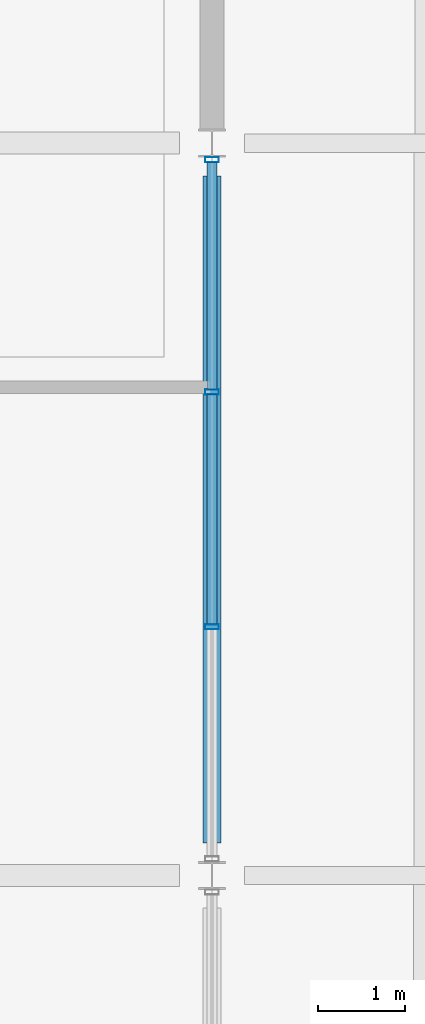
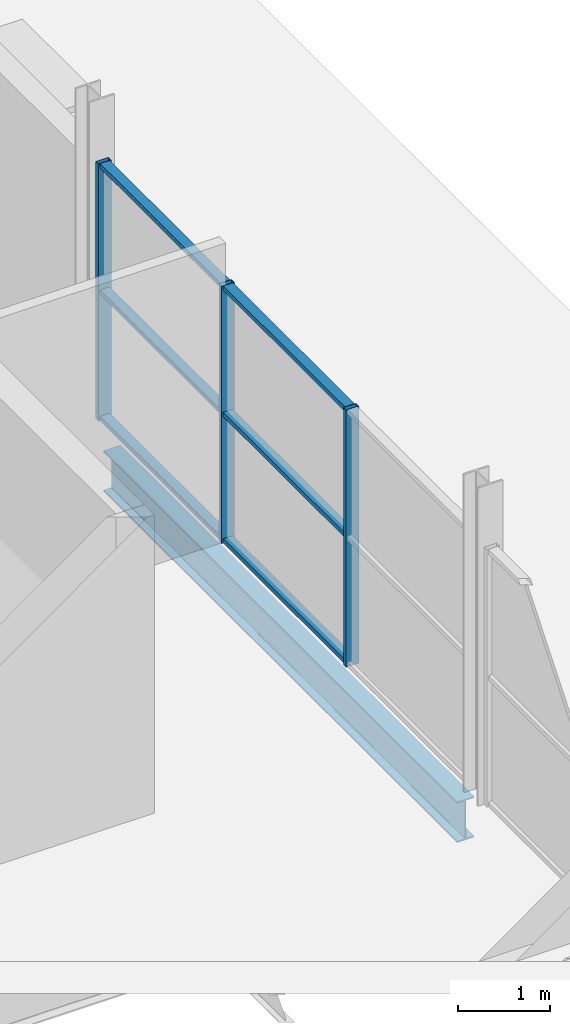
# One storey, part 85 of 161: 9 members, 1 beam, 1 element without a shape of its own.
"""IFC4 building model written with IfcOpenShell, lengths in metres."""

from ifc_helpers import new_model, si_unit, direction, frame, origin, origin_2d, place, context, subcontext, project, spatial, hollow_rectangle, i_section, extrude, material, material_profile, profile_set, type_object, element, aggregate, save


model = new_model("IFC4")

# Units and contexts
model_context = context("Model", 3, precision=1e-05, world=origin(), true_north=direction((0.0, 1.0)))
body_context = subcontext(model_context, "Body", "Model", "MODEL_VIEW")
ifc_project = project(units=[si_unit("LENGTHUNIT", "METRE"), si_unit("AREAUNIT", "SQUARE_METRE"), si_unit("VOLUMEUNIT", "CUBIC_METRE"), si_unit("PLANEANGLEUNIT", "RADIAN"), si_unit("MASSUNIT", "GRAM", prefix="KILO"), si_unit("THERMODYNAMICTEMPERATUREUNIT", "KELVIN")], contexts=[model_context])

# Site, building, storey
site_placement = place(None, origin())
site = spatial("IfcSite", under=ifc_project, at=site_placement, CompositionType="ELEMENT")
building_placement = place(site_placement, origin())
building = spatial("IfcBuilding", under=site, at=building_placement, Name="Nduvali Passage Aquatics Centre", CompositionType="ELEMENT")
storey_placement = place(building_placement, frame((0.0, 0.0, 4.800048828125)))
storey = spatial("IfcBuildingStorey", under=building, at=storey_placement, Name="L01", CompositionType="ELEMENT", Elevation=4.800048828125)

# Curtain wall, members
ifc_material_1 = material(Name="Aluminium EN AW-6063 T6", Category="aluminium")
curtain_wall_type = type_object("IfcCurtainWallType", Name="ENV-CW-PASS", PredefinedType="NOTDEFINED", material=ifc_material_1)
curtain_wall_placement = place(storey_placement, origin())
curtain_wall = element("IfcCurtainWall", 1, at=curtain_wall_placement, inside=storey, type_object=curtain_wall_type, Name="L01 East Passage Fitness CW 121", PredefinedType="NOTDEFINED")
ifc_material_profile_1 = material_profile(ifc_material_1, hollow_rectangle(XDim=0.06005859375, YDim=0.159912109375, WallThickness=0.00390625, at=origin_2d()), Name="ALU MULLION 60x160x4")
ifc_profile_set_1 = profile_set([ifc_material_profile_1], Name="Aluminium EN AW-6063 T6")
member_type_1 = type_object("IfcMemberType", Name="ENV-MEM-MUL60", PredefinedType="MULLION", material=ifc_profile_set_1)
member_1_placement = place(storey_placement, frame((126.0, 103.6533203125, 0.0), z_axis=(0.0, 0.0, 1.0), x_axis=(0.0, 1.0, 0.0)))
member_1 = element("IfcMember", 2, at=member_1_placement, type_object=member_type_1, Name="East Passage Fitness CW Mullion 2", PredefinedType="MULLION", context=body_context, shape_type="SweptSolid", body=[
    extrude(hollow_rectangle(XDim=0.06005859375, YDim=0.159912109375, WallThickness=0.00390625, at=origin_2d()), origin(), (0.0, 0.0, 1.0), 3.396484375),
])
member_2_placement = place(storey_placement, frame((126.0, 106.3466796875, 0.0), z_axis=(0.0, 0.0, 1.0), x_axis=(0.0, 1.0, 0.0)))
member_2 = element("IfcMember", 3, at=member_2_placement, type_object=member_type_1, Name="East Passage Fitness CW Mullion 3", PredefinedType="MULLION", context=body_context, shape_type="SweptSolid", body=[
    extrude(hollow_rectangle(XDim=0.06005859375, YDim=0.159912109375, WallThickness=0.00390625, at=origin_2d()), origin(), (0.0, 0.0, 1.0), 3.396484375),
])
member_3_placement = place(storey_placement, frame((126.0, 109.009765625, 0.0), z_axis=(0.0, 0.0, 1.0), x_axis=(0.0, 1.0, 0.0)))
member_3 = element("IfcMember", 4, at=member_3_placement, type_object=member_type_1, Name="East Passage Fitness CW Mullion 4", PredefinedType="MULLION", context=body_context, shape_type="SweptSolid", body=[
    extrude(hollow_rectangle(XDim=0.06005859375, YDim=0.159912109375, WallThickness=0.00390625, at=origin_2d()), origin(), (0.0, 0.0, 1.0), 3.396484375),
])
ifc_material_profile_2 = material_profile(ifc_material_1, hollow_rectangle(XDim=0.1201171875, YDim=0.06005859375, WallThickness=0.00390625, at=origin_2d()), Name="ALU TRANSOM 120x60x4")
ifc_profile_set_2 = profile_set([ifc_material_profile_2], Name="Aluminium EN AW-6063 T6")
member_type_2 = type_object("IfcMemberType", Name="ENV-MEM-TRN60", PredefinedType="USERDEFINED", material=ifc_profile_set_2)
member_4_placement = place(storey_placement, frame((126.0, 103.683349609375, 0.030029296875), z_axis=(0.0, 1.0, 0.0), x_axis=(-1.0, 0.0, 0.0)))
member_4 = element("IfcMember", 5, at=member_4_placement, type_object=member_type_2, Name="East Passage Fitness CW Transom B2-R0", ObjectType="TRANSOM", PredefinedType="USERDEFINED", context=body_context, shape_type="SweptSolid", body=[
    extrude(hollow_rectangle(XDim=0.1201171875, YDim=0.06005859375, WallThickness=0.00390625, at=origin_2d()), origin(), (0.0, 0.0, 1.0), 2.63330078125),
])
member_5_placement = place(storey_placement, frame((126.0, 103.683349609375, 1.6982421875), z_axis=(0.0, 1.0, 0.0), x_axis=(-1.0, 0.0, 0.0)))
member_5 = element("IfcMember", 6, at=member_5_placement, type_object=member_type_2, Name="East Passage Fitness CW Transom B2-R1", ObjectType="TRANSOM", PredefinedType="USERDEFINED", context=body_context, shape_type="SweptSolid", body=[
    extrude(hollow_rectangle(XDim=0.1201171875, YDim=0.06005859375, WallThickness=0.00390625, at=origin_2d()), origin(), (0.0, 0.0, 1.0), 2.63330078125),
])
member_6_placement = place(storey_placement, frame((126.0, 103.683349609375, 3.366455078125), z_axis=(0.0, 1.0, 0.0), x_axis=(-1.0, 0.0, 0.0)))
member_6 = element("IfcMember", 7, at=member_6_placement, type_object=member_type_2, Name="East Passage Fitness CW Transom B2-R2", ObjectType="TRANSOM", PredefinedType="USERDEFINED", context=body_context, shape_type="SweptSolid", body=[
    extrude(hollow_rectangle(XDim=0.1201171875, YDim=0.06005859375, WallThickness=0.00390625, at=origin_2d()), origin(), (0.0, 0.0, 1.0), 2.63330078125),
])
member_7_placement = place(storey_placement, frame((126.0, 106.376708984375, 0.030029296875), z_axis=(0.0, 1.0, 0.0), x_axis=(-1.0, 0.0, 0.0)))
member_7 = element("IfcMember", 8, at=member_7_placement, type_object=member_type_2, Name="East Passage Fitness CW Transom B3-R0", ObjectType="TRANSOM", PredefinedType="USERDEFINED", context=body_context, shape_type="SweptSolid", body=[
    extrude(hollow_rectangle(XDim=0.1201171875, YDim=0.06005859375, WallThickness=0.00390625, at=origin_2d()), origin(), (0.0, 0.0, 1.0), 2.60302734375),
])
member_8_placement = place(storey_placement, frame((126.0, 106.376708984375, 1.6982421875), z_axis=(0.0, 1.0, 0.0), x_axis=(-1.0, 0.0, 0.0)))
member_8 = element("IfcMember", 9, at=member_8_placement, type_object=member_type_2, Name="East Passage Fitness CW Transom B3-R1", ObjectType="TRANSOM", PredefinedType="USERDEFINED", context=body_context, shape_type="SweptSolid", body=[
    extrude(hollow_rectangle(XDim=0.1201171875, YDim=0.06005859375, WallThickness=0.00390625, at=origin_2d()), origin(), (0.0, 0.0, 1.0), 2.60302734375),
])
member_9_placement = place(storey_placement, frame((126.0, 106.376708984375, 3.366455078125), z_axis=(0.0, 1.0, 0.0), x_axis=(-1.0, 0.0, 0.0)))
member_9 = element("IfcMember", 10, at=member_9_placement, type_object=member_type_2, Name="East Passage Fitness CW Transom B3-R2", ObjectType="TRANSOM", PredefinedType="USERDEFINED", context=body_context, shape_type="SweptSolid", body=[
    extrude(hollow_rectangle(XDim=0.1201171875, YDim=0.06005859375, WallThickness=0.00390625, at=origin_2d()), origin(), (0.0, 0.0, 1.0), 2.60302734375),
])
aggregate(curtain_wall, [member_1, member_2, member_3, member_4, member_5, member_6, member_7, member_8, member_9])

# Beam
ifc_material_2 = material(Name="Steel S355", Category="steel")
ifc_material_profile_3 = material_profile(ifc_material_2, i_section(OverallWidth=0.210693359375, OverallDepth=0.53955078125, WebThickness=0.01171875, FlangeThickness=0.018798828125, FilletRadius=0.0126953125, at=origin_2d()), Name="UKB 533x210x109")
ifc_profile_set_3 = profile_set([ifc_material_profile_3], Name="Steel S355")
beam_type = type_object("IfcBeamType", Name="STR-BM-UKB533-EXT", PredefinedType="BEAM", material=ifc_profile_set_3)
beam_placement = place(storey_placement, frame((126.0, 101.175048828125, -0.553955078125), z_axis=(0.0, 1.0, 0.0), x_axis=(-1.0, 0.0, 0.0)))
element("IfcBeam", 11, at=beam_placement, inside=storey, type_object=beam_type, Name="L01 Primary Y-Girder B6E-0634", PredefinedType="BEAM", context=body_context, shape_type="SweptSolid", body=[
    extrude(i_section(OverallWidth=0.210693359375, OverallDepth=0.53955078125, WebThickness=0.01171875, FlangeThickness=0.018798828125, FilletRadius=0.0126953125, at=origin_2d()), origin(), (0.0, 0.0, 1.0), 7.64990234375),
])

save(model, "model.ifc")
